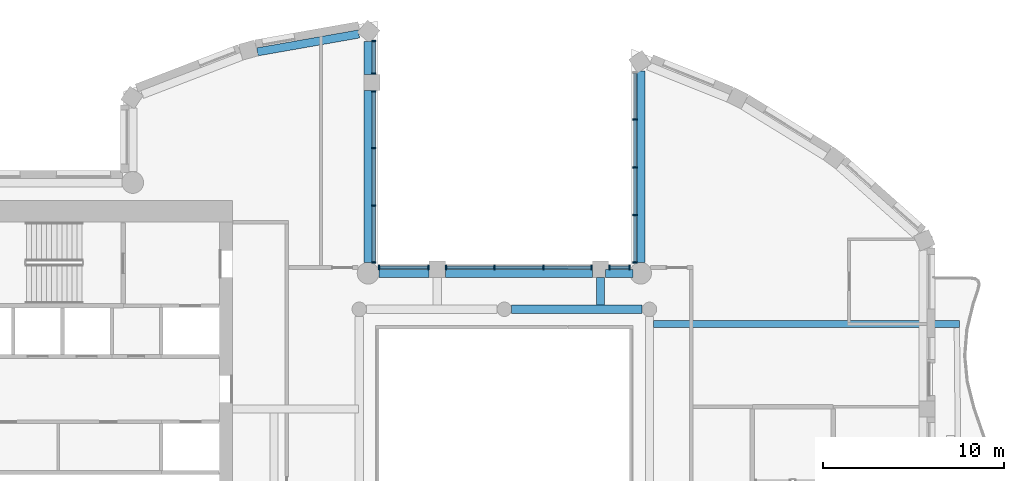
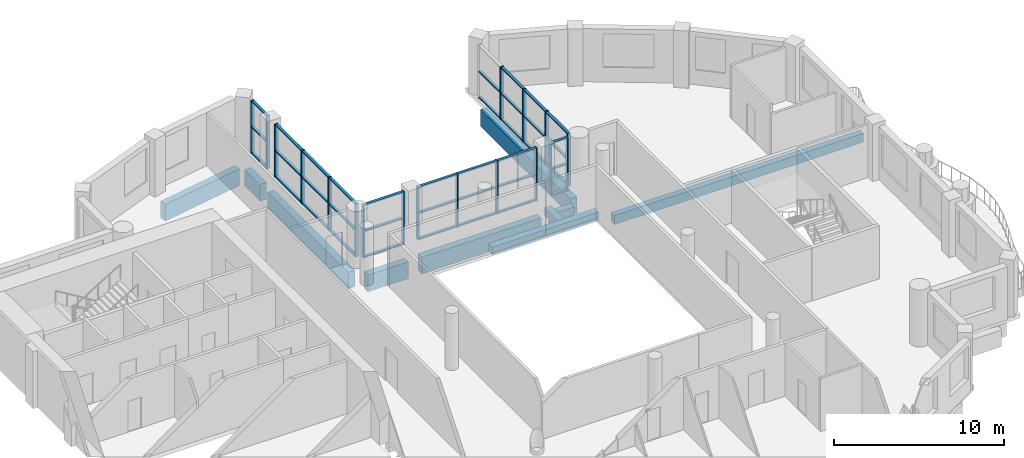
# One storey, part 2 of 15: 56 members, 10 beams, 6 elements without a shape of their own.
"""IFC4 building model written with IfcOpenShell, lengths in metres."""

from ifc_helpers import new_model, si_unit, direction, frame, origin, origin_2d, place, context, subcontext, project, spatial, rectangle, extrude, material, material_profile, profile_set, type_object, element, aggregate, save


model = new_model("IFC4")

# Units and contexts
model_context = context("Model", 3, precision=1e-05, world=origin(), true_north=direction((0.0, 1.0)))
body_context = subcontext(model_context, "Body", "Model", "MODEL_VIEW")
ifc_project = project(units=[si_unit("LENGTHUNIT", "METRE"), si_unit("AREAUNIT", "SQUARE_METRE"), si_unit("VOLUMEUNIT", "CUBIC_METRE"), si_unit("PLANEANGLEUNIT", "RADIAN"), si_unit("MASSUNIT", "GRAM", prefix="KILO")], contexts=[model_context])

# Site, building, storey
site_placement = place(None, origin())
site = spatial("IfcSite", under=ifc_project, at=site_placement, CompositionType="ELEMENT")
building_placement = place(site_placement, origin())
building = spatial("IfcBuilding", under=site, at=building_placement, Name="Cypress Arch Tower", CompositionType="ELEMENT")
storey_placement = place(building_placement, frame((0.0, 0.0, 309.0)))
storey = spatial("IfcBuildingStorey", under=building, at=storey_placement, Name="L70", CompositionType="ELEMENT", Elevation=309.0)

# Beams
ifc_material_1 = material(Name="Concrete C50/60", Category="concrete")
ifc_material_profile_1 = material_profile(ifc_material_1, rectangle(XDim=0.39990234375, YDim=0.64990234375, at=origin_2d()), Name="RC 400x650")
ifc_profile_set_1 = profile_set([ifc_material_profile_1], Name="Concrete C50/60")
beam_type_1 = type_object("IfcBeamType", Name="Cantilever beam RC 400x650 Concrete C50/60", PredefinedType="BEAM", material=ifc_profile_set_1)
beam_1_placement = place(storey_placement, frame((9.22509765625, 9.1826171875, -0.625), z_axis=(1.0, 0.0, 0.0), x_axis=(0.0, 1.0, 0.0)))
element("IfcBeam", 1, at=beam_1_placement, inside=storey, type_object=beam_type_1, Name="Cantilever beam L70 C17 2", PredefinedType="BEAM", context=body_context, shape_type="SweptSolid", body=[
    extrude(rectangle(XDim=0.39990234375, YDim=0.64990234375, at=origin_2d()), origin(), (0.0, 0.0, 1.0), 16.86767578125),
])
ifc_material_2 = material(Name="Concrete C50/60", Category="concrete")
ifc_material_profile_2 = material_profile(ifc_material_2, rectangle(XDim=0.449951171875, YDim=0.550048828125, at=origin_2d()), Name="RC 450x550")
ifc_profile_set_2 = profile_set([ifc_material_profile_2], Name="Concrete C50/60")
beam_type_2 = type_object("IfcBeamType", Name="Floor beam RC 450x550 Concrete C50/60", PredefinedType="BEAM", material=ifc_profile_set_2)
beam_2_placement = place(storey_placement, frame((1.39990234375, 10.0, -0.574951171875), z_axis=(1.0, 0.0, 0.0), x_axis=(0.0, 1.0, 0.0)))
element("IfcBeam", 2, at=beam_2_placement, inside=storey, type_object=beam_type_2, Name="Floor beam L70 RB008", PredefinedType="BEAM", context=body_context, shape_type="SweptSolid", body=[
    extrude(rectangle(XDim=0.449951171875, YDim=0.550048828125, at=origin_2d()), origin(), (0.0, 0.0, 1.0), 7.2001953125),
])
beam_3_placement = place(storey_placement, frame((6.300048828125, 10.22509765625, -0.574951171875), z_axis=(0.0, 1.0, 0.0), x_axis=(-1.0, 0.0, 0.0)))
element("IfcBeam", 3, at=beam_3_placement, inside=storey, type_object=beam_type_2, Name="Floor beam L70 FB013", PredefinedType="BEAM", context=body_context, shape_type="SweptSolid", body=[
    extrude(rectangle(XDim=0.449951171875, YDim=0.550048828125, at=origin_2d()), origin(), (0.0, 0.0, 1.0), 1.52490234375),
])

# Curtain wall, members
ifc_material_3 = material(Name="Anodised aluminium, bronze finish, clear laminated double glazing", Category="aluminium")
curtain_wall_type = type_object("IfcCurtainWallType", Name="Curtain wall CW7 slot glazing", PredefinedType="NOTDEFINED", material=ifc_material_3)
curtain_wall_1_placement = place(storey_placement, origin())
curtain_wall_1 = element("IfcCurtainWall", 4, at=curtain_wall_1_placement, inside=storey, type_object=curtain_wall_type, Name="Curtain wall L70 slot C00.0", PredefinedType="NOTDEFINED")
ifc_material_4 = material(Name="Anodised aluminium, bronze finish", Category="aluminium")
ifc_material_profile_3 = material_profile(ifc_material_4, rectangle(XDim=0.239990234375, YDim=0.0849609375, at=origin_2d()), Name="Mullion 85x240")
ifc_profile_set_3 = profile_set([ifc_material_profile_3], Name="Anodised aluminium, bronze finish")
member_type_1 = type_object("IfcMemberType", Name="Mullion CW7 85x240", PredefinedType="MULLION", material=ifc_profile_set_3)
member_1_placement = place(storey_placement, frame((8.199951171875, 20.464111328125, 0.0), z_axis=(0.0, 0.0, 1.0), x_axis=(1.0, 0.0, 0.0)))
member_1 = element("IfcMember", 5, at=member_1_placement, type_object=member_type_1, Name="CW7 mullion 2", PredefinedType="MULLION", context=body_context, shape_type="SweptSolid", body=[
    extrude(rectangle(XDim=0.239990234375, YDim=0.0849609375, at=origin_2d()), origin(), (0.0, 0.0, 1.0), 3.800048828125),
])
member_2_placement = place(storey_placement, frame((8.199951171875, 17.82568359375, 0.0), z_axis=(0.0, 0.0, 1.0), x_axis=(1.0, 0.0, 0.0)))
member_2 = element("IfcMember", 6, at=member_2_placement, type_object=member_type_1, Name="CW7 mullion 3", PredefinedType="MULLION", context=body_context, shape_type="SweptSolid", body=[
    extrude(rectangle(XDim=0.239990234375, YDim=0.0849609375, at=origin_2d()), origin(), (0.0, 0.0, 1.0), 3.800048828125),
])
member_3_placement = place(storey_placement, frame((8.199951171875, 15.18701171875, 0.0), z_axis=(0.0, 0.0, 1.0), x_axis=(1.0, 0.0, 0.0)))
member_3 = element("IfcMember", 7, at=member_3_placement, type_object=member_type_1, Name="CW7 mullion 4", PredefinedType="MULLION", context=body_context, shape_type="SweptSolid", body=[
    extrude(rectangle(XDim=0.239990234375, YDim=0.0849609375, at=origin_2d()), origin(), (0.0, 0.0, 1.0), 3.800048828125),
])
member_4_placement = place(storey_placement, frame((8.199951171875, 12.591064453125, 0.0), z_axis=(0.0, 0.0, 1.0), x_axis=(1.0, 0.0, 0.0)))
member_4 = element("IfcMember", 8, at=member_4_placement, type_object=member_type_1, Name="CW7 mullion 5", PredefinedType="MULLION", context=body_context, shape_type="SweptSolid", body=[
    extrude(rectangle(XDim=0.239990234375, YDim=0.0849609375, at=origin_2d()), origin(), (0.0, 0.0, 1.0), 3.800048828125),
])

curtain_wall_2_placement = place(storey_placement, origin())
curtain_wall_2 = element("IfcCurtainWall", 9, at=curtain_wall_2_placement, inside=storey, type_object=curtain_wall_type, Name="Curtain wall L70 slot C01.0", PredefinedType="NOTDEFINED")
member_5_placement = place(storey_placement, frame((7.908935546875, 12.300048828125, 0.0), z_axis=(0.0, 0.0, 1.0), x_axis=(0.0, -1.0, 0.0)))
member_5 = element("IfcMember", 10, at=member_5_placement, type_object=member_type_1, Name="CW7 mullion 1", PredefinedType="MULLION", context=body_context, shape_type="SweptSolid", body=[
    extrude(rectangle(XDim=0.239990234375, YDim=0.0849609375, at=origin_2d()), origin(), (0.0, 0.0, 1.0), 3.800048828125),
])
member_6_placement = place(storey_placement, frame((6.79248046875, 12.300048828125, 0.0), z_axis=(0.0, 0.0, 1.0), x_axis=(0.0, -1.0, 0.0)))
member_6 = element("IfcMember", 11, at=member_6_placement, type_object=member_type_1, Name="CW7 mullion 2", PredefinedType="MULLION", context=body_context, shape_type="SweptSolid", body=[
    extrude(rectangle(XDim=0.239990234375, YDim=0.0849609375, at=origin_2d()), origin(), (0.0, 0.0, 1.0), 3.800048828125),
])

curtain_wall_3_placement = place(storey_placement, origin())
curtain_wall_3 = element("IfcCurtainWall", 12, at=curtain_wall_3_placement, inside=storey, type_object=curtain_wall_type, Name="Curtain wall L70 slot C01.1", PredefinedType="NOTDEFINED")
member_7_placement = place(storey_placement, frame((5.8076171875, 12.300048828125, 0.0), z_axis=(0.0, 0.0, 1.0), x_axis=(0.0, -1.0, 0.0)))
member_7 = element("IfcMember", 13, at=member_7_placement, type_object=member_type_1, Name="CW7 mullion 1", PredefinedType="MULLION", context=body_context, shape_type="SweptSolid", body=[
    extrude(rectangle(XDim=0.239990234375, YDim=0.0849609375, at=origin_2d()), origin(), (0.0, 0.0, 1.0), 3.800048828125),
])
member_8_placement = place(storey_placement, frame((3.14990234375, 12.300048828125, 0.0), z_axis=(0.0, 0.0, 1.0), x_axis=(0.0, -1.0, 0.0)))
member_8 = element("IfcMember", 14, at=member_8_placement, type_object=member_type_1, Name="CW7 mullion 2", PredefinedType="MULLION", context=body_context, shape_type="SweptSolid", body=[
    extrude(rectangle(XDim=0.239990234375, YDim=0.0849609375, at=origin_2d()), origin(), (0.0, 0.0, 1.0), 3.800048828125),
])
member_9_placement = place(storey_placement, frame((0.449951171875, 12.300048828125, 0.0), z_axis=(0.0, 0.0, 1.0), x_axis=(0.0, -1.0, 0.0)))
member_9 = element("IfcMember", 15, at=member_9_placement, type_object=member_type_1, Name="CW7 mullion 3", PredefinedType="MULLION", context=body_context, shape_type="SweptSolid", body=[
    extrude(rectangle(XDim=0.239990234375, YDim=0.0849609375, at=origin_2d()), origin(), (0.0, 0.0, 1.0), 3.800048828125),
])
member_10_placement = place(storey_placement, frame((-2.20751953125, 12.300048828125, 0.0), z_axis=(0.0, 0.0, 1.0), x_axis=(0.0, -1.0, 0.0)))
member_10 = element("IfcMember", 16, at=member_10_placement, type_object=member_type_1, Name="CW7 mullion 4", PredefinedType="MULLION", context=body_context, shape_type="SweptSolid", body=[
    extrude(rectangle(XDim=0.239990234375, YDim=0.0849609375, at=origin_2d()), origin(), (0.0, 0.0, 1.0), 3.800048828125),
])

curtain_wall_4_placement = place(storey_placement, origin())
curtain_wall_4 = element("IfcCurtainWall", 17, at=curtain_wall_4_placement, inside=storey, type_object=curtain_wall_type, Name="Curtain wall L70 slot C01.2", PredefinedType="NOTDEFINED")
member_11_placement = place(storey_placement, frame((-3.1923828125, 12.300048828125, 0.0), z_axis=(0.0, 0.0, 1.0), x_axis=(0.0, -1.0, 0.0)))
member_11 = element("IfcMember", 18, at=member_11_placement, type_object=member_type_1, Name="CW7 mullion 1", PredefinedType="MULLION", context=body_context, shape_type="SweptSolid", body=[
    extrude(rectangle(XDim=0.239990234375, YDim=0.0849609375, at=origin_2d()), origin(), (0.0, 0.0, 1.0), 3.800048828125),
])
member_12_placement = place(storey_placement, frame((-5.908935546875, 12.300048828125, 0.0), z_axis=(0.0, 0.0, 1.0), x_axis=(0.0, -1.0, 0.0)))
member_12 = element("IfcMember", 19, at=member_12_placement, type_object=member_type_1, Name="CW7 mullion 2", PredefinedType="MULLION", context=body_context, shape_type="SweptSolid", body=[
    extrude(rectangle(XDim=0.239990234375, YDim=0.0849609375, at=origin_2d()), origin(), (0.0, 0.0, 1.0), 3.800048828125),
])

curtain_wall_5_placement = place(storey_placement, origin())
curtain_wall_5 = element("IfcCurtainWall", 20, at=curtain_wall_5_placement, inside=storey, type_object=curtain_wall_type, Name="Curtain wall L70 slot C02.0", PredefinedType="NOTDEFINED")
member_13_placement = place(storey_placement, frame((-6.199951171875, 12.591064453125, 0.0), z_axis=(0.0, 0.0, 1.0), x_axis=(-1.0, 0.0, 0.0)))
member_13 = element("IfcMember", 21, at=member_13_placement, type_object=member_type_1, Name="CW7 mullion 1", PredefinedType="MULLION", context=body_context, shape_type="SweptSolid", body=[
    extrude(rectangle(XDim=0.239990234375, YDim=0.0849609375, at=origin_2d()), origin(), (0.0, 0.0, 1.0), 3.800048828125),
])
member_14_placement = place(storey_placement, frame((-6.199951171875, 15.715576171875, 0.0), z_axis=(0.0, 0.0, 1.0), x_axis=(-1.0, 0.0, 0.0)))
member_14 = element("IfcMember", 22, at=member_14_placement, type_object=member_type_1, Name="CW7 mullion 2", PredefinedType="MULLION", context=body_context, shape_type="SweptSolid", body=[
    extrude(rectangle(XDim=0.239990234375, YDim=0.0849609375, at=origin_2d()), origin(), (0.0, 0.0, 1.0), 3.800048828125),
])
member_15_placement = place(storey_placement, frame((-6.199951171875, 18.8828125, 0.0), z_axis=(0.0, 0.0, 1.0), x_axis=(-1.0, 0.0, 0.0)))
member_15 = element("IfcMember", 23, at=member_15_placement, type_object=member_type_1, Name="CW7 mullion 3", PredefinedType="MULLION", context=body_context, shape_type="SweptSolid", body=[
    extrude(rectangle(XDim=0.239990234375, YDim=0.0849609375, at=origin_2d()), origin(), (0.0, 0.0, 1.0), 3.800048828125),
])
member_16_placement = place(storey_placement, frame((-6.199951171875, 22.007568359375, 0.0), z_axis=(0.0, 0.0, 1.0), x_axis=(-1.0, 0.0, 0.0)))
member_16 = element("IfcMember", 24, at=member_16_placement, type_object=member_type_1, Name="CW7 mullion 4", PredefinedType="MULLION", context=body_context, shape_type="SweptSolid", body=[
    extrude(rectangle(XDim=0.239990234375, YDim=0.0849609375, at=origin_2d()), origin(), (0.0, 0.0, 1.0), 3.800048828125),
])

curtain_wall_6_placement = place(storey_placement, origin())
curtain_wall_6 = element("IfcCurtainWall", 25, at=curtain_wall_6_placement, inside=storey, type_object=curtain_wall_type, Name="Curtain wall L70 slot C02.1", PredefinedType="NOTDEFINED")
member_17_placement = place(storey_placement, frame((-6.199951171875, 22.992431640625, 0.0), z_axis=(0.0, 0.0, 1.0), x_axis=(-1.0, 0.0, 0.0)))
member_17 = element("IfcMember", 26, at=member_17_placement, type_object=member_type_1, Name="CW7 mullion 1", PredefinedType="MULLION", context=body_context, shape_type="SweptSolid", body=[
    extrude(rectangle(XDim=0.239990234375, YDim=0.0849609375, at=origin_2d()), origin(), (0.0, 0.0, 1.0), 3.800048828125),
])
member_18_placement = place(storey_placement, frame((-6.199951171875, 24.789794921875, 0.0), z_axis=(0.0, 0.0, 1.0), x_axis=(-1.0, 0.0, 0.0)))
member_18 = element("IfcMember", 27, at=member_18_placement, type_object=member_type_1, Name="CW7 mullion 2", PredefinedType="MULLION", context=body_context, shape_type="SweptSolid", body=[
    extrude(rectangle(XDim=0.239990234375, YDim=0.0849609375, at=origin_2d()), origin(), (0.0, 0.0, 1.0), 3.800048828125),
])

# Beams
ifc_material_5 = material(Name="Concrete C50/60", Category="concrete")
ifc_material_profile_4 = material_profile(ifc_material_5, rectangle(XDim=0.449951171875, YDim=1.199951171875, at=origin_2d()), Name="RC 450x1200")
ifc_profile_set_4 = profile_set([ifc_material_profile_4], Name="Concrete C50/60")
beam_type_3 = type_object("IfcBeamType", Name="Spandrel beam RC 450x1200 Concrete C50/60", PredefinedType="SPANDREL", material=ifc_profile_set_4)
beam_4_placement = place(storey_placement, frame((8.52490234375, 23.138427734375, -1.550048828125), z_axis=(0.0, -1.0, 0.0), x_axis=(1.0, 0.0, 0.0)))
element("IfcBeam", 28, at=beam_4_placement, inside=storey, type_object=beam_type_3, Name="Spandrel beam L70 BC00-0", PredefinedType="SPANDREL", context=body_context, shape_type="SweptSolid", body=[
    extrude(rectangle(XDim=0.449951171875, YDim=1.199951171875, at=origin_2d()), origin(), (0.0, 0.0, 1.0), 10.55078125),
])
beam_5_placement = place(storey_placement, frame((8.081298828125, 11.97509765625, -1.550048828125), z_axis=(-1.0, 0.0, 0.0), x_axis=(0.0, -1.0, 0.0)))
element("IfcBeam", 29, at=beam_5_placement, inside=storey, type_object=beam_type_3, Name="Spandrel beam L70 BC01-0", PredefinedType="SPANDREL", context=body_context, shape_type="SweptSolid", body=[
    extrude(rectangle(XDim=0.449951171875, YDim=1.199951171875, at=origin_2d()), origin(), (0.0, 0.0, 1.0), 1.5),
])
beam_6_placement = place(storey_placement, frame((5.85009765625, 11.97509765625, -1.550048828125), z_axis=(-1.0, 0.0, 0.0), x_axis=(0.0, -1.0, 0.0)))
element("IfcBeam", 30, at=beam_6_placement, inside=storey, type_object=beam_type_3, Name="Spandrel beam L70 BC01-1", PredefinedType="SPANDREL", context=body_context, shape_type="SweptSolid", body=[
    extrude(rectangle(XDim=0.449951171875, YDim=1.199951171875, at=origin_2d()), origin(), (0.0, 0.0, 1.0), 8.10009765625),
])
beam_7_placement = place(storey_placement, frame((-3.14990234375, 11.97509765625, -1.550048828125), z_axis=(-1.0, 0.0, 0.0), x_axis=(0.0, -1.0, 0.0)))
element("IfcBeam", 31, at=beam_7_placement, inside=storey, type_object=beam_type_3, Name="Spandrel beam L70 BC01-2", PredefinedType="SPANDREL", context=body_context, shape_type="SweptSolid", body=[
    extrude(rectangle(XDim=0.449951171875, YDim=1.199951171875, at=origin_2d()), origin(), (0.0, 0.0, 1.0), 2.762451171875),
])
beam_8_placement = place(storey_placement, frame((-6.52490234375, 12.587646484375, -1.550048828125), z_axis=(0.0, 1.0, 0.0), x_axis=(-1.0, 0.0, 0.0)))
element("IfcBeam", 32, at=beam_8_placement, inside=storey, type_object=beam_type_3, Name="Spandrel beam L70 BC02-0", PredefinedType="SPANDREL", context=body_context, shape_type="SweptSolid", body=[
    extrude(rectangle(XDim=0.449951171875, YDim=1.199951171875, at=origin_2d()), origin(), (0.0, 0.0, 1.0), 9.46240234375),
])
beam_9_placement = place(storey_placement, frame((-6.52490234375, 22.949951171875, -1.550048828125), z_axis=(0.0, 1.0, 0.0), x_axis=(-1.0, 0.0, 0.0)))
element("IfcBeam", 33, at=beam_9_placement, inside=storey, type_object=beam_type_3, Name="Spandrel beam L70 BC02-1", PredefinedType="SPANDREL", context=body_context, shape_type="SweptSolid", body=[
    extrude(rectangle(XDim=0.449951171875, YDim=1.199951171875, at=origin_2d()), origin(), (0.0, 0.0, 1.0), 1.810302734375),
])
beam_10_placement = place(storey_placement, frame((-7.021484375, 25.1767578125, -1.550048828125), z_axis=(-0.984798704294, -0.173699487682, 0.0), x_axis=(0.173699487682, -0.984798704294, 0.0)))
element("IfcBeam", 34, at=beam_10_placement, inside=storey, type_object=beam_type_3, Name="Spandrel beam L70 BC03-0", PredefinedType="SPANDREL", context=body_context, shape_type="SweptSolid", body=[
    extrude(rectangle(XDim=0.449951171875, YDim=1.199951171875, at=origin_2d()), origin(), (0.0, 0.0, 1.0), 5.678466796875),
])

# Member
ifc_material_6 = material(Name="Anodised aluminium, bronze finish", Category="aluminium")
ifc_material_profile_5 = material_profile(ifc_material_6, rectangle(XDim=0.179931640625, YDim=0.0849609375, at=origin_2d()), Name="Transom 85x180")
ifc_profile_set_5 = profile_set([ifc_material_profile_5], Name="Anodised aluminium, bronze finish")
member_type_2 = type_object("IfcMemberType", Name="Transom CW7 85x180", PredefinedType="USERDEFINED", material=ifc_profile_set_5)
member_19_placement = place(storey_placement, frame((8.199951171875, 23.017578125, 0.04248046875), z_axis=(0.0, -1.0, 0.0), x_axis=(1.0, 0.0, 0.0)))
member_19 = element("IfcMember", 35, at=member_19_placement, type_object=member_type_2, Name="CW7 transom 1.1", ObjectType="TRANSOM", PredefinedType="USERDEFINED", context=body_context, shape_type="SweptSolid", body=[
    extrude(rectangle(XDim=0.179931640625, YDim=0.0849609375, at=origin_2d()), origin(), (0.0, 0.0, 1.0), 2.510986328125),
])

member_20_placement = place(storey_placement, frame((8.199951171875, 23.017578125, 1.89990234375), z_axis=(0.0, -1.0, 0.0), x_axis=(1.0, 0.0, 0.0)))
member_20 = element("IfcMember", 36, at=member_20_placement, type_object=member_type_2, Name="CW7 transom 1.2", ObjectType="TRANSOM", PredefinedType="USERDEFINED", context=body_context, shape_type="SweptSolid", body=[
    extrude(rectangle(XDim=0.179931640625, YDim=0.0849609375, at=origin_2d()), origin(), (0.0, 0.0, 1.0), 2.510986328125),
])

member_21_placement = place(storey_placement, frame((8.199951171875, 20.421630859375, 0.04248046875), z_axis=(0.0, -1.0, 0.0), x_axis=(1.0, 0.0, 0.0)))
member_21 = element("IfcMember", 37, at=member_21_placement, type_object=member_type_2, Name="CW7 transom 2.1", ObjectType="TRANSOM", PredefinedType="USERDEFINED", context=body_context, shape_type="SweptSolid", body=[
    extrude(rectangle(XDim=0.179931640625, YDim=0.0849609375, at=origin_2d()), origin(), (0.0, 0.0, 1.0), 2.553466796875),
])

member_22_placement = place(storey_placement, frame((8.199951171875, 20.421630859375, 1.89990234375), z_axis=(0.0, -1.0, 0.0), x_axis=(1.0, 0.0, 0.0)))
member_22 = element("IfcMember", 38, at=member_22_placement, type_object=member_type_2, Name="CW7 transom 2.2", ObjectType="TRANSOM", PredefinedType="USERDEFINED", context=body_context, shape_type="SweptSolid", body=[
    extrude(rectangle(XDim=0.179931640625, YDim=0.0849609375, at=origin_2d()), origin(), (0.0, 0.0, 1.0), 2.553466796875),
])

member_23_placement = place(storey_placement, frame((8.199951171875, 20.421630859375, 3.757568359375), z_axis=(0.0, -1.0, 0.0), x_axis=(1.0, 0.0, 0.0)))
member_23 = element("IfcMember", 39, at=member_23_placement, type_object=member_type_2, Name="CW7 transom 2.3", ObjectType="TRANSOM", PredefinedType="USERDEFINED", context=body_context, shape_type="SweptSolid", body=[
    extrude(rectangle(XDim=0.179931640625, YDim=0.0849609375, at=origin_2d()), origin(), (0.0, 0.0, 1.0), 2.553466796875),
])

member_24_placement = place(storey_placement, frame((8.199951171875, 17.782958984375, 0.04248046875), z_axis=(0.0, -1.0, 0.0), x_axis=(1.0, 0.0, 0.0)))
member_24 = element("IfcMember", 40, at=member_24_placement, type_object=member_type_2, Name="CW7 transom 3.1", ObjectType="TRANSOM", PredefinedType="USERDEFINED", context=body_context, shape_type="SweptSolid", body=[
    extrude(rectangle(XDim=0.179931640625, YDim=0.0849609375, at=origin_2d()), origin(), (0.0, 0.0, 1.0), 2.553466796875),
])

member_25_placement = place(storey_placement, frame((8.199951171875, 17.782958984375, 1.89990234375), z_axis=(0.0, -1.0, 0.0), x_axis=(1.0, 0.0, 0.0)))
member_25 = element("IfcMember", 41, at=member_25_placement, type_object=member_type_2, Name="CW7 transom 3.2", ObjectType="TRANSOM", PredefinedType="USERDEFINED", context=body_context, shape_type="SweptSolid", body=[
    extrude(rectangle(XDim=0.179931640625, YDim=0.0849609375, at=origin_2d()), origin(), (0.0, 0.0, 1.0), 2.553466796875),
])

member_26_placement = place(storey_placement, frame((8.199951171875, 17.782958984375, 3.757568359375), z_axis=(0.0, -1.0, 0.0), x_axis=(1.0, 0.0, 0.0)))
member_26 = element("IfcMember", 42, at=member_26_placement, type_object=member_type_2, Name="CW7 transom 3.3", ObjectType="TRANSOM", PredefinedType="USERDEFINED", context=body_context, shape_type="SweptSolid", body=[
    extrude(rectangle(XDim=0.179931640625, YDim=0.0849609375, at=origin_2d()), origin(), (0.0, 0.0, 1.0), 2.553466796875),
])

member_27_placement = place(storey_placement, frame((8.199951171875, 15.14453125, 0.04248046875), z_axis=(0.0, -1.0, 0.0), x_axis=(1.0, 0.0, 0.0)))
member_27 = element("IfcMember", 43, at=member_27_placement, type_object=member_type_2, Name="CW7 transom 4.1", ObjectType="TRANSOM", PredefinedType="USERDEFINED", context=body_context, shape_type="SweptSolid", body=[
    extrude(rectangle(XDim=0.179931640625, YDim=0.0849609375, at=origin_2d()), origin(), (0.0, 0.0, 1.0), 2.510986328125),
])

member_28_placement = place(storey_placement, frame((8.199951171875, 15.14453125, 1.89990234375), z_axis=(0.0, -1.0, 0.0), x_axis=(1.0, 0.0, 0.0)))
member_28 = element("IfcMember", 44, at=member_28_placement, type_object=member_type_2, Name="CW7 transom 4.2", ObjectType="TRANSOM", PredefinedType="USERDEFINED", context=body_context, shape_type="SweptSolid", body=[
    extrude(rectangle(XDim=0.179931640625, YDim=0.0849609375, at=origin_2d()), origin(), (0.0, 0.0, 1.0), 2.510986328125),
])

member_29_placement = place(storey_placement, frame((8.199951171875, 15.14453125, 3.757568359375), z_axis=(0.0, -1.0, 0.0), x_axis=(1.0, 0.0, 0.0)))
member_29 = element("IfcMember", 45, at=member_29_placement, type_object=member_type_2, Name="CW7 transom 4.3", ObjectType="TRANSOM", PredefinedType="USERDEFINED", context=body_context, shape_type="SweptSolid", body=[
    extrude(rectangle(XDim=0.179931640625, YDim=0.0849609375, at=origin_2d()), origin(), (0.0, 0.0, 1.0), 2.510986328125),
])

aggregate(curtain_wall_1, [member_1, member_2, member_3, member_4, member_19, member_20, member_21, member_22, member_23, member_24, member_25, member_26, member_27, member_28, member_29])

member_30_placement = place(storey_placement, frame((7.866455078125, 12.300048828125, 0.04248046875), z_axis=(-1.0, 0.0, 0.0), x_axis=(0.0, -1.0, 0.0)))
member_30 = element("IfcMember", 46, at=member_30_placement, type_object=member_type_2, Name="CW7 transom 1.1", ObjectType="TRANSOM", PredefinedType="USERDEFINED", context=body_context, shape_type="SweptSolid", body=[
    extrude(rectangle(XDim=0.179931640625, YDim=0.0849609375, at=origin_2d()), origin(), (0.0, 0.0, 1.0), 1.031494140625),
])

member_31_placement = place(storey_placement, frame((7.866455078125, 12.300048828125, 1.89990234375), z_axis=(-1.0, 0.0, 0.0), x_axis=(0.0, -1.0, 0.0)))
member_31 = element("IfcMember", 47, at=member_31_placement, type_object=member_type_2, Name="CW7 transom 1.2", ObjectType="TRANSOM", PredefinedType="USERDEFINED", context=body_context, shape_type="SweptSolid", body=[
    extrude(rectangle(XDim=0.179931640625, YDim=0.0849609375, at=origin_2d()), origin(), (0.0, 0.0, 1.0), 1.031494140625),
])

member_32_placement = place(storey_placement, frame((7.866455078125, 12.300048828125, 3.757568359375), z_axis=(-1.0, 0.0, 0.0), x_axis=(0.0, -1.0, 0.0)))
member_32 = element("IfcMember", 48, at=member_32_placement, type_object=member_type_2, Name="CW7 transom 1.3", ObjectType="TRANSOM", PredefinedType="USERDEFINED", context=body_context, shape_type="SweptSolid", body=[
    extrude(rectangle(XDim=0.179931640625, YDim=0.0849609375, at=origin_2d()), origin(), (0.0, 0.0, 1.0), 1.031494140625),
])

aggregate(curtain_wall_2, [member_5, member_6, member_30, member_31, member_32])

member_33_placement = place(storey_placement, frame((5.764892578125, 12.300048828125, 0.04248046875), z_axis=(-1.0, 0.0, 0.0), x_axis=(0.0, -1.0, 0.0)))
member_33 = element("IfcMember", 49, at=member_33_placement, type_object=member_type_2, Name="CW7 transom 1.1", ObjectType="TRANSOM", PredefinedType="USERDEFINED", context=body_context, shape_type="SweptSolid", body=[
    extrude(rectangle(XDim=0.179931640625, YDim=0.0849609375, at=origin_2d()), origin(), (0.0, 0.0, 1.0), 2.572509765625),
])

member_34_placement = place(storey_placement, frame((5.764892578125, 12.300048828125, 1.89990234375), z_axis=(-1.0, 0.0, 0.0), x_axis=(0.0, -1.0, 0.0)))
member_34 = element("IfcMember", 50, at=member_34_placement, type_object=member_type_2, Name="CW7 transom 1.2", ObjectType="TRANSOM", PredefinedType="USERDEFINED", context=body_context, shape_type="SweptSolid", body=[
    extrude(rectangle(XDim=0.179931640625, YDim=0.0849609375, at=origin_2d()), origin(), (0.0, 0.0, 1.0), 2.572509765625),
])

member_35_placement = place(storey_placement, frame((5.764892578125, 12.300048828125, 3.757568359375), z_axis=(-1.0, 0.0, 0.0), x_axis=(0.0, -1.0, 0.0)))
member_35 = element("IfcMember", 51, at=member_35_placement, type_object=member_type_2, Name="CW7 transom 1.3", ObjectType="TRANSOM", PredefinedType="USERDEFINED", context=body_context, shape_type="SweptSolid", body=[
    extrude(rectangle(XDim=0.179931640625, YDim=0.0849609375, at=origin_2d()), origin(), (0.0, 0.0, 1.0), 2.572509765625),
])

member_36_placement = place(storey_placement, frame((3.107421875, 12.300048828125, 0.04248046875), z_axis=(-1.0, 0.0, 0.0), x_axis=(0.0, -1.0, 0.0)))
member_36 = element("IfcMember", 52, at=member_36_placement, type_object=member_type_2, Name="CW7 transom 2.1", ObjectType="TRANSOM", PredefinedType="USERDEFINED", context=body_context, shape_type="SweptSolid", body=[
    extrude(rectangle(XDim=0.179931640625, YDim=0.0849609375, at=origin_2d()), origin(), (0.0, 0.0, 1.0), 2.614990234375),
])

member_37_placement = place(storey_placement, frame((3.107421875, 12.300048828125, 1.89990234375), z_axis=(-1.0, 0.0, 0.0), x_axis=(0.0, -1.0, 0.0)))
member_37 = element("IfcMember", 53, at=member_37_placement, type_object=member_type_2, Name="CW7 transom 2.2", ObjectType="TRANSOM", PredefinedType="USERDEFINED", context=body_context, shape_type="SweptSolid", body=[
    extrude(rectangle(XDim=0.179931640625, YDim=0.0849609375, at=origin_2d()), origin(), (0.0, 0.0, 1.0), 2.614990234375),
])

member_38_placement = place(storey_placement, frame((3.107421875, 12.300048828125, 3.757568359375), z_axis=(-1.0, 0.0, 0.0), x_axis=(0.0, -1.0, 0.0)))
member_38 = element("IfcMember", 54, at=member_38_placement, type_object=member_type_2, Name="CW7 transom 2.3", ObjectType="TRANSOM", PredefinedType="USERDEFINED", context=body_context, shape_type="SweptSolid", body=[
    extrude(rectangle(XDim=0.179931640625, YDim=0.0849609375, at=origin_2d()), origin(), (0.0, 0.0, 1.0), 2.614990234375),
])

member_39_placement = place(storey_placement, frame((0.407470703125, 12.300048828125, 0.04248046875), z_axis=(-1.0, 0.0, 0.0), x_axis=(0.0, -1.0, 0.0)))
member_39 = element("IfcMember", 55, at=member_39_placement, type_object=member_type_2, Name="CW7 transom 3.1", ObjectType="TRANSOM", PredefinedType="USERDEFINED", context=body_context, shape_type="SweptSolid", body=[
    extrude(rectangle(XDim=0.179931640625, YDim=0.0849609375, at=origin_2d()), origin(), (0.0, 0.0, 1.0), 2.572509765625),
])

member_40_placement = place(storey_placement, frame((0.407470703125, 12.300048828125, 1.89990234375), z_axis=(-1.0, 0.0, 0.0), x_axis=(0.0, -1.0, 0.0)))
member_40 = element("IfcMember", 56, at=member_40_placement, type_object=member_type_2, Name="CW7 transom 3.2", ObjectType="TRANSOM", PredefinedType="USERDEFINED", context=body_context, shape_type="SweptSolid", body=[
    extrude(rectangle(XDim=0.179931640625, YDim=0.0849609375, at=origin_2d()), origin(), (0.0, 0.0, 1.0), 2.572509765625),
])

member_41_placement = place(storey_placement, frame((0.407470703125, 12.300048828125, 3.757568359375), z_axis=(-1.0, 0.0, 0.0), x_axis=(0.0, -1.0, 0.0)))
member_41 = element("IfcMember", 57, at=member_41_placement, type_object=member_type_2, Name="CW7 transom 3.3", ObjectType="TRANSOM", PredefinedType="USERDEFINED", context=body_context, shape_type="SweptSolid", body=[
    extrude(rectangle(XDim=0.179931640625, YDim=0.0849609375, at=origin_2d()), origin(), (0.0, 0.0, 1.0), 2.572509765625),
])

aggregate(curtain_wall_3, [member_7, member_8, member_9, member_10, member_33, member_34, member_35, member_36, member_37, member_38, member_39, member_40, member_41])

member_42_placement = place(storey_placement, frame((-3.235107421875, 12.300048828125, 0.04248046875), z_axis=(-1.0, 0.0, 0.0), x_axis=(0.0, -1.0, 0.0)))
member_42 = element("IfcMember", 58, at=member_42_placement, type_object=member_type_2, Name="CW7 transom 1.1", ObjectType="TRANSOM", PredefinedType="USERDEFINED", context=body_context, shape_type="SweptSolid", body=[
    extrude(rectangle(XDim=0.179931640625, YDim=0.0849609375, at=origin_2d()), origin(), (0.0, 0.0, 1.0), 2.63134765625),
])

member_43_placement = place(storey_placement, frame((-3.235107421875, 12.300048828125, 1.89990234375), z_axis=(-1.0, 0.0, 0.0), x_axis=(0.0, -1.0, 0.0)))
member_43 = element("IfcMember", 59, at=member_43_placement, type_object=member_type_2, Name="CW7 transom 1.2", ObjectType="TRANSOM", PredefinedType="USERDEFINED", context=body_context, shape_type="SweptSolid", body=[
    extrude(rectangle(XDim=0.179931640625, YDim=0.0849609375, at=origin_2d()), origin(), (0.0, 0.0, 1.0), 2.63134765625),
])

member_44_placement = place(storey_placement, frame((-3.235107421875, 12.300048828125, 3.757568359375), z_axis=(-1.0, 0.0, 0.0), x_axis=(0.0, -1.0, 0.0)))
member_44 = element("IfcMember", 60, at=member_44_placement, type_object=member_type_2, Name="CW7 transom 1.3", ObjectType="TRANSOM", PredefinedType="USERDEFINED", context=body_context, shape_type="SweptSolid", body=[
    extrude(rectangle(XDim=0.179931640625, YDim=0.0849609375, at=origin_2d()), origin(), (0.0, 0.0, 1.0), 2.63134765625),
])

aggregate(curtain_wall_4, [member_11, member_12, member_42, member_43, member_44])

member_45_placement = place(storey_placement, frame((-6.199951171875, 12.633544921875, 0.04248046875), z_axis=(0.0, 1.0, 0.0), x_axis=(-1.0, 0.0, 0.0)))
member_45 = element("IfcMember", 61, at=member_45_placement, type_object=member_type_2, Name="CW7 transom 1.1", ObjectType="TRANSOM", PredefinedType="USERDEFINED", context=body_context, shape_type="SweptSolid", body=[
    extrude(rectangle(XDim=0.179931640625, YDim=0.0849609375, at=origin_2d()), origin(), (0.0, 0.0, 1.0), 3.03955078125),
])

member_46_placement = place(storey_placement, frame((-6.199951171875, 12.633544921875, 1.89990234375), z_axis=(0.0, 1.0, 0.0), x_axis=(-1.0, 0.0, 0.0)))
member_46 = element("IfcMember", 62, at=member_46_placement, type_object=member_type_2, Name="CW7 transom 1.2", ObjectType="TRANSOM", PredefinedType="USERDEFINED", context=body_context, shape_type="SweptSolid", body=[
    extrude(rectangle(XDim=0.179931640625, YDim=0.0849609375, at=origin_2d()), origin(), (0.0, 0.0, 1.0), 3.03955078125),
])

member_47_placement = place(storey_placement, frame((-6.199951171875, 12.633544921875, 3.757568359375), z_axis=(0.0, 1.0, 0.0), x_axis=(-1.0, 0.0, 0.0)))
member_47 = element("IfcMember", 63, at=member_47_placement, type_object=member_type_2, Name="CW7 transom 1.3", ObjectType="TRANSOM", PredefinedType="USERDEFINED", context=body_context, shape_type="SweptSolid", body=[
    extrude(rectangle(XDim=0.179931640625, YDim=0.0849609375, at=origin_2d()), origin(), (0.0, 0.0, 1.0), 3.03955078125),
])

member_48_placement = place(storey_placement, frame((-6.199951171875, 15.758056640625, 0.04248046875), z_axis=(0.0, 1.0, 0.0), x_axis=(-1.0, 0.0, 0.0)))
member_48 = element("IfcMember", 64, at=member_48_placement, type_object=member_type_2, Name="CW7 transom 2.1", ObjectType="TRANSOM", PredefinedType="USERDEFINED", context=body_context, shape_type="SweptSolid", body=[
    extrude(rectangle(XDim=0.179931640625, YDim=0.0849609375, at=origin_2d()), origin(), (0.0, 0.0, 1.0), 3.082275390625),
])

member_49_placement = place(storey_placement, frame((-6.199951171875, 15.758056640625, 1.89990234375), z_axis=(0.0, 1.0, 0.0), x_axis=(-1.0, 0.0, 0.0)))
member_49 = element("IfcMember", 65, at=member_49_placement, type_object=member_type_2, Name="CW7 transom 2.2", ObjectType="TRANSOM", PredefinedType="USERDEFINED", context=body_context, shape_type="SweptSolid", body=[
    extrude(rectangle(XDim=0.179931640625, YDim=0.0849609375, at=origin_2d()), origin(), (0.0, 0.0, 1.0), 3.082275390625),
])

member_50_placement = place(storey_placement, frame((-6.199951171875, 15.758056640625, 3.757568359375), z_axis=(0.0, 1.0, 0.0), x_axis=(-1.0, 0.0, 0.0)))
member_50 = element("IfcMember", 66, at=member_50_placement, type_object=member_type_2, Name="CW7 transom 2.3", ObjectType="TRANSOM", PredefinedType="USERDEFINED", context=body_context, shape_type="SweptSolid", body=[
    extrude(rectangle(XDim=0.179931640625, YDim=0.0849609375, at=origin_2d()), origin(), (0.0, 0.0, 1.0), 3.082275390625),
])

member_51_placement = place(storey_placement, frame((-6.199951171875, 18.92529296875, 0.04248046875), z_axis=(0.0, 1.0, 0.0), x_axis=(-1.0, 0.0, 0.0)))
member_51 = element("IfcMember", 67, at=member_51_placement, type_object=member_type_2, Name="CW7 transom 3.1", ObjectType="TRANSOM", PredefinedType="USERDEFINED", context=body_context, shape_type="SweptSolid", body=[
    extrude(rectangle(XDim=0.179931640625, YDim=0.0849609375, at=origin_2d()), origin(), (0.0, 0.0, 1.0), 3.039794921875),
])

member_52_placement = place(storey_placement, frame((-6.199951171875, 18.92529296875, 1.89990234375), z_axis=(0.0, 1.0, 0.0), x_axis=(-1.0, 0.0, 0.0)))
member_52 = element("IfcMember", 68, at=member_52_placement, type_object=member_type_2, Name="CW7 transom 3.2", ObjectType="TRANSOM", PredefinedType="USERDEFINED", context=body_context, shape_type="SweptSolid", body=[
    extrude(rectangle(XDim=0.179931640625, YDim=0.0849609375, at=origin_2d()), origin(), (0.0, 0.0, 1.0), 3.039794921875),
])

member_53_placement = place(storey_placement, frame((-6.199951171875, 18.92529296875, 3.757568359375), z_axis=(0.0, 1.0, 0.0), x_axis=(-1.0, 0.0, 0.0)))
member_53 = element("IfcMember", 69, at=member_53_placement, type_object=member_type_2, Name="CW7 transom 3.3", ObjectType="TRANSOM", PredefinedType="USERDEFINED", context=body_context, shape_type="SweptSolid", body=[
    extrude(rectangle(XDim=0.179931640625, YDim=0.0849609375, at=origin_2d()), origin(), (0.0, 0.0, 1.0), 3.039794921875),
])

aggregate(curtain_wall_5, [member_13, member_14, member_15, member_16, member_45, member_46, member_47, member_48, member_49, member_50, member_51, member_52, member_53])

member_54_placement = place(storey_placement, frame((-6.199951171875, 23.034912109375, 0.04248046875), z_axis=(0.0, 1.0, 0.0), x_axis=(-1.0, 0.0, 0.0)))
member_54 = element("IfcMember", 70, at=member_54_placement, type_object=member_type_2, Name="CW7 transom 1.1", ObjectType="TRANSOM", PredefinedType="USERDEFINED", context=body_context, shape_type="SweptSolid", body=[
    extrude(rectangle(XDim=0.179931640625, YDim=0.0849609375, at=origin_2d()), origin(), (0.0, 0.0, 1.0), 1.71240234375),
])

member_55_placement = place(storey_placement, frame((-6.199951171875, 23.034912109375, 1.89990234375), z_axis=(0.0, 1.0, 0.0), x_axis=(-1.0, 0.0, 0.0)))
member_55 = element("IfcMember", 71, at=member_55_placement, type_object=member_type_2, Name="CW7 transom 1.2", ObjectType="TRANSOM", PredefinedType="USERDEFINED", context=body_context, shape_type="SweptSolid", body=[
    extrude(rectangle(XDim=0.179931640625, YDim=0.0849609375, at=origin_2d()), origin(), (0.0, 0.0, 1.0), 1.71240234375),
])

member_56_placement = place(storey_placement, frame((-6.199951171875, 23.034912109375, 3.757568359375), z_axis=(0.0, 1.0, 0.0), x_axis=(-1.0, 0.0, 0.0)))
member_56 = element("IfcMember", 72, at=member_56_placement, type_object=member_type_2, Name="CW7 transom 1.3", ObjectType="TRANSOM", PredefinedType="USERDEFINED", context=body_context, shape_type="SweptSolid", body=[
    extrude(rectangle(XDim=0.179931640625, YDim=0.0849609375, at=origin_2d()), origin(), (0.0, 0.0, 1.0), 1.71240234375),
])

aggregate(curtain_wall_6, [member_17, member_18, member_54, member_55, member_56])

save(model, "model.ifc")
